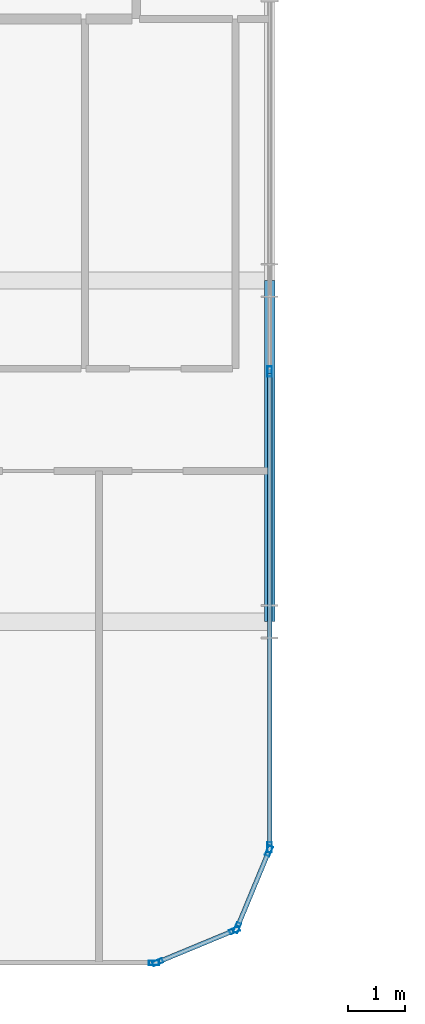
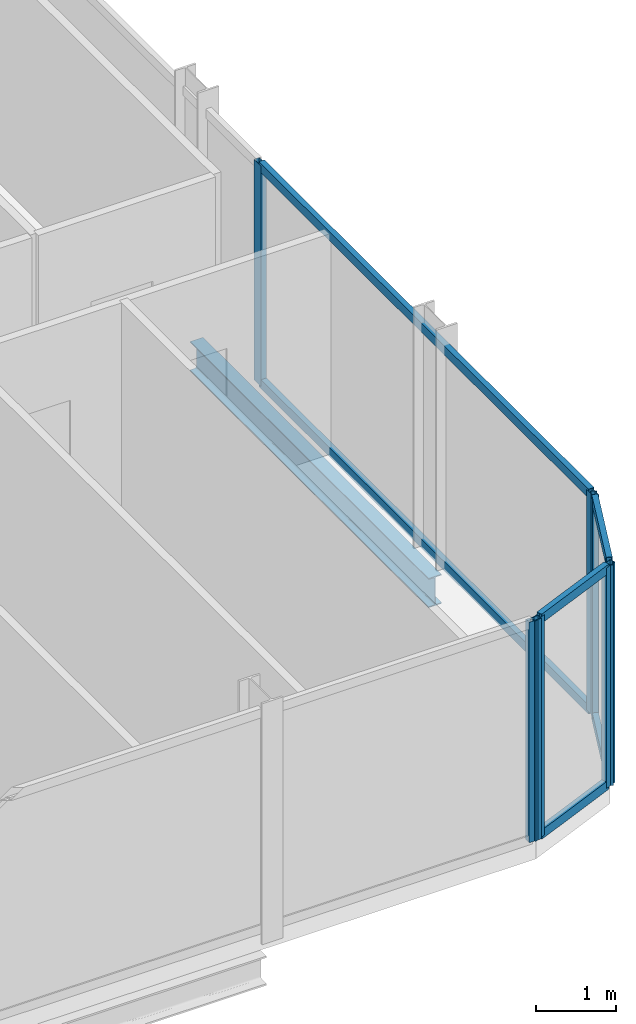
# One storey, part 10 of 30: 13 members, 1 beam, 4 elements without a shape of their own.
"""IFC4 building model written with IfcOpenShell, lengths in metres."""

from ifc_helpers import new_model, si_unit, direction, frame, origin, origin_2d, place, context, subcontext, project, spatial, hollow_rectangle, i_section, extrude, material, layer, layer_set, material_profile, profile_set, type_object, element, aggregate, save


model = new_model("IFC4")

# Units and contexts
model_context = context("Model", 3, precision=1e-05, world=origin(), true_north=direction((0.0, 1.0)))
body_context = subcontext(model_context, "Body", "Model", "MODEL_VIEW")
ifc_project = project(units=[si_unit("LENGTHUNIT", "METRE"), si_unit("AREAUNIT", "SQUARE_METRE"), si_unit("VOLUMEUNIT", "CUBIC_METRE"), si_unit("PLANEANGLEUNIT", "RADIAN"), si_unit("MASSUNIT", "GRAM", prefix="KILO")], contexts=[model_context])

# Site, building, storey
site_placement = place(None, origin())
site = spatial("IfcSite", under=ifc_project, at=site_placement, CompositionType="ELEMENT")
building_placement = place(site_placement, origin())
building = spatial("IfcBuilding", under=site, at=building_placement, Name="Keshet Zoharim Tower", CompositionType="ELEMENT")
storey_placement = place(building_placement, frame((0.0, 0.0, 90.89990234375)))
storey = spatial("IfcBuildingStorey", under=building, at=storey_placement, Name="L21", CompositionType="ELEMENT", Elevation=90.89990234375)

# Beam
ifc_material_1 = material(Name="Steel S355", Category="steel")
ifc_material_profile_1 = material_profile(ifc_material_1, i_section(OverallWidth=0.18994140625, OverallDepth=0.449951171875, WebThickness=0.009521484375, FlangeThickness=0.0146484375, FilletRadius=0.02099609375, at=origin_2d()), Name="IPE450")
ifc_profile_set_1 = profile_set([ifc_material_profile_1], Name="Steel S355")
beam_type = type_object("IfcBeamType", Name="BM-PRI-IP450", PredefinedType="BEAM", material=ifc_profile_set_1)
beam_placement = place(storey_placement, frame((57.0, 6.699951171875, -0.539794921875), z_axis=(0.0, 1.0, 0.0), x_axis=(-1.0, 0.0, 0.0)))
element("IfcBeam", 1, at=beam_placement, inside=storey, type_object=beam_type, Name="L21 Primary Girder Y-013", PredefinedType="BEAM", context=body_context, shape_type="SweptSolid", body=[
    extrude(i_section(OverallWidth=0.18994140625, OverallDepth=0.449951171875, WebThickness=0.009521484375, FlangeThickness=0.0146484375, FilletRadius=0.02099609375, at=origin_2d()), origin(), (0.0, 0.0, 1.0), 6.0),
])

# Curtain wall, members
ifc_material_2 = material(Name="Aluminium 6063-T6", Category="aluminium")
ifc_layer = layer(ifc_material_2, 0.159912109375)
ifc_layer_set = layer_set([ifc_layer], Name="Aluminium 6063-T6")
curtain_wall_type = type_object("IfcCurtainWallType", Name="CW-SYS-03", PredefinedType="NOTDEFINED", material=ifc_layer_set)
curtain_wall_1_placement = place(storey_placement, origin())
curtain_wall_1 = element("IfcCurtainWall", 2, at=curtain_wall_1_placement, inside=storey, type_object=curtain_wall_type, Name="L21 Unitised Curtain Wall 01", PredefinedType="NOTDEFINED")
ifc_material_profile_2 = material_profile(ifc_material_2, hollow_rectangle(XDim=0.080078125, YDim=0.179931640625, WallThickness=0.00439453125, at=origin_2d()), Name="MUL-80x180")
ifc_profile_set_2 = profile_set([ifc_material_profile_2], Name="Aluminium 6063-T6")
member_type_1 = type_object("IfcMemberType", Name="CWM-M18", PredefinedType="MULLION", material=ifc_profile_set_2)
member_1_placement = place(storey_placement, frame((56.986572265625, 2.667724609375, 0.0), z_axis=(0.0, 0.0, 1.0), x_axis=(0.92380975372, -0.382851849847, 0.0)))
member_1 = element("IfcMember", 3, at=member_1_placement, type_object=member_type_1, Name="CW-03 mullion 1", PredefinedType="MULLION", context=body_context, shape_type="SweptSolid", body=[
    extrude(hollow_rectangle(XDim=0.080078125, YDim=0.179931640625, WallThickness=0.00439453125, at=origin_2d()), origin(), (0.0, 0.0, 1.0), 3.385009765625),
])
member_2_placement = place(storey_placement, frame((56.427490234375, 1.318359375, 0.0), z_axis=(0.0, 0.0, 1.0), x_axis=(0.92380975372, -0.382851849847, 0.0)))
member_2 = element("IfcMember", 4, at=member_2_placement, type_object=member_type_1, Name="CW-03 mullion 2", PredefinedType="MULLION", context=body_context, shape_type="SweptSolid", body=[
    extrude(hollow_rectangle(XDim=0.080078125, YDim=0.179931640625, WallThickness=0.00439453125, at=origin_2d()), origin(), (0.0, 0.0, 1.0), 3.385009765625),
])

curtain_wall_2_placement = place(storey_placement, origin())
curtain_wall_2 = element("IfcCurtainWall", 5, at=curtain_wall_2_placement, inside=storey, type_object=curtain_wall_type, Name="L21 Unitised Curtain Wall 02", PredefinedType="NOTDEFINED")
member_3_placement = place(storey_placement, frame((56.381591796875, 1.272705078125, 0.0), z_axis=(0.0, 0.0, 1.0), x_axis=(0.382851849847, -0.92380975372, 0.0)))
member_3 = element("IfcMember", 6, at=member_3_placement, type_object=member_type_1, Name="CW-03 mullion 1", PredefinedType="MULLION", context=body_context, shape_type="SweptSolid", body=[
    extrude(hollow_rectangle(XDim=0.080078125, YDim=0.179931640625, WallThickness=0.00439453125, at=origin_2d()), origin(), (0.0, 0.0, 1.0), 3.385009765625),
])
member_4_placement = place(storey_placement, frame((55.0322265625, 0.71337890625, 0.0), z_axis=(0.0, 0.0, 1.0), x_axis=(0.382851849847, -0.92380975372, 0.0)))
member_4 = element("IfcMember", 7, at=member_4_placement, type_object=member_type_1, Name="CW-03 mullion 2", PredefinedType="MULLION", context=body_context, shape_type="SweptSolid", body=[
    extrude(hollow_rectangle(XDim=0.080078125, YDim=0.179931640625, WallThickness=0.00439453125, at=origin_2d()), origin(), (0.0, 0.0, 1.0), 3.385009765625),
])

# Curtain wall, member
curtain_wall_3_placement = place(storey_placement, origin())
curtain_wall_3 = element("IfcCurtainWall", 8, at=curtain_wall_3_placement, inside=storey, type_object=curtain_wall_type, Name="L21 Unitised Curtain Wall 03", PredefinedType="NOTDEFINED")
member_5_placement = place(storey_placement, frame((54.965087890625, 0.699951171875, 0.0), z_axis=(0.0, 0.0, 1.0), x_axis=(0.0, -1.0, 0.0)))
member_5 = element("IfcMember", 9, at=member_5_placement, type_object=member_type_1, Name="CW-03 mullion 1", PredefinedType="MULLION", context=body_context, shape_type="SweptSolid", body=[
    extrude(hollow_rectangle(XDim=0.080078125, YDim=0.179931640625, WallThickness=0.00439453125, at=origin_2d()), origin(), (0.0, 0.0, 1.0), 3.385009765625),
])
aggregate(curtain_wall_3, [member_5])

# Curtain wall, members
curtain_wall_4_placement = place(storey_placement, origin())
curtain_wall_4 = element("IfcCurtainWall", 10, at=curtain_wall_4_placement, inside=storey, type_object=curtain_wall_type, Name="L21 Unitised Curtain Wall 19", PredefinedType="NOTDEFINED")
member_6_placement = place(storey_placement, frame((57.0, 11.10009765625, 0.0), z_axis=(0.0, 0.0, 1.0), x_axis=(1.0, 0.0, 0.0)))
member_6 = element("IfcMember", 11, at=member_6_placement, type_object=member_type_1, Name="CW-03 mullion 3", PredefinedType="MULLION", context=body_context, shape_type="SweptSolid", body=[
    extrude(hollow_rectangle(XDim=0.080078125, YDim=0.179931640625, WallThickness=0.00439453125, at=origin_2d()), origin(), (0.0, 0.0, 1.0), 3.385009765625),
])
member_7_placement = place(storey_placement, frame((57.0, 2.735107421875, 0.0), z_axis=(0.0, 0.0, 1.0), x_axis=(1.0, 0.0, 0.0)))
member_7 = element("IfcMember", 12, at=member_7_placement, type_object=member_type_1, Name="CW-03 mullion 4", PredefinedType="MULLION", context=body_context, shape_type="SweptSolid", body=[
    extrude(hollow_rectangle(XDim=0.080078125, YDim=0.179931640625, WallThickness=0.00439453125, at=origin_2d()), origin(), (0.0, 0.0, 1.0), 3.385009765625),
])

# Member
ifc_material_profile_3 = material_profile(ifc_material_2, hollow_rectangle(XDim=0.080078125, YDim=0.139892578125, WallThickness=0.00390625, at=origin_2d()), Name="TRN-80x140")
ifc_profile_set_3 = profile_set([ifc_material_profile_3], Name="Aluminium 6063-T6")
member_type_2 = type_object("IfcMemberType", Name="CWT-T14", PredefinedType="USERDEFINED", material=ifc_profile_set_3)
member_8_placement = place(storey_placement, frame((56.97314453125, 2.63525390625, 0.03515625), z_axis=(-0.382744609247, -0.923854189844, 0.0), x_axis=(0.923854189844, -0.382744609247, 0.0)))
member_8 = element("IfcMember", 13, at=member_8_placement, type_object=member_type_2, Name="CW-03 transom 1.1", ObjectType="TRANSOM", PredefinedType="USERDEFINED", context=body_context, shape_type="SweptSolid", body=[
    extrude(hollow_rectangle(XDim=0.080078125, YDim=0.139892578125, WallThickness=0.00390625, at=origin_2d()), origin(), (0.0, 0.0, 1.0), 1.390625),
])

member_9_placement = place(storey_placement, frame((56.97314453125, 2.63525390625, 3.35009765625), z_axis=(-0.382744609247, -0.923854189844, 0.0), x_axis=(0.923854189844, -0.382744609247, 0.0)))
member_9 = element("IfcMember", 14, at=member_9_placement, type_object=member_type_2, Name="CW-03 transom 1.2", ObjectType="TRANSOM", PredefinedType="USERDEFINED", context=body_context, shape_type="SweptSolid", body=[
    extrude(hollow_rectangle(XDim=0.080078125, YDim=0.139892578125, WallThickness=0.00390625, at=origin_2d()), origin(), (0.0, 0.0, 1.0), 1.390625),
])

aggregate(curtain_wall_1, [member_1, member_2, member_8, member_9])

member_10_placement = place(storey_placement, frame((56.349365234375, 1.25927734375, 0.03515625), z_axis=(-0.92379209995, -0.382894445076, 0.0), x_axis=(0.382894445076, -0.92379209995, 0.0)))
member_10 = element("IfcMember", 15, at=member_10_placement, type_object=member_type_2, Name="CW-03 transom 1.1", ObjectType="TRANSOM", PredefinedType="USERDEFINED", context=body_context, shape_type="SweptSolid", body=[
    extrude(hollow_rectangle(XDim=0.080078125, YDim=0.139892578125, WallThickness=0.00390625, at=origin_2d()), origin(), (0.0, 0.0, 1.0), 1.390625),
])

member_11_placement = place(storey_placement, frame((56.349365234375, 1.25927734375, 3.35009765625), z_axis=(-0.92379209995, -0.382894445076, 0.0), x_axis=(0.382894445076, -0.92379209995, 0.0)))
member_11 = element("IfcMember", 16, at=member_11_placement, type_object=member_type_2, Name="CW-03 transom 1.2", ObjectType="TRANSOM", PredefinedType="USERDEFINED", context=body_context, shape_type="SweptSolid", body=[
    extrude(hollow_rectangle(XDim=0.080078125, YDim=0.139892578125, WallThickness=0.00390625, at=origin_2d()), origin(), (0.0, 0.0, 1.0), 1.390625),
])

aggregate(curtain_wall_2, [member_3, member_4, member_10, member_11])

member_12_placement = place(storey_placement, frame((57.0, 11.06494140625, 0.03515625), z_axis=(0.0, -1.0, 0.0), x_axis=(1.0, 0.0, 0.0)))
member_12 = element("IfcMember", 17, at=member_12_placement, type_object=member_type_2, Name="CW-03 transom 3.1", ObjectType="TRANSOM", PredefinedType="USERDEFINED", context=body_context, shape_type="SweptSolid", body=[
    extrude(hollow_rectangle(XDim=0.080078125, YDim=0.139892578125, WallThickness=0.00390625, at=origin_2d()), origin(), (0.0, 0.0, 1.0), 8.294921875),
])

member_13_placement = place(storey_placement, frame((57.0, 11.06494140625, 3.35009765625), z_axis=(0.0, -1.0, 0.0), x_axis=(1.0, 0.0, 0.0)))
member_13 = element("IfcMember", 18, at=member_13_placement, type_object=member_type_2, Name="CW-03 transom 3.2", ObjectType="TRANSOM", PredefinedType="USERDEFINED", context=body_context, shape_type="SweptSolid", body=[
    extrude(hollow_rectangle(XDim=0.080078125, YDim=0.139892578125, WallThickness=0.00390625, at=origin_2d()), origin(), (0.0, 0.0, 1.0), 8.294921875),
])

aggregate(curtain_wall_4, [member_6, member_7, member_12, member_13])

save(model, "model.ifc")
